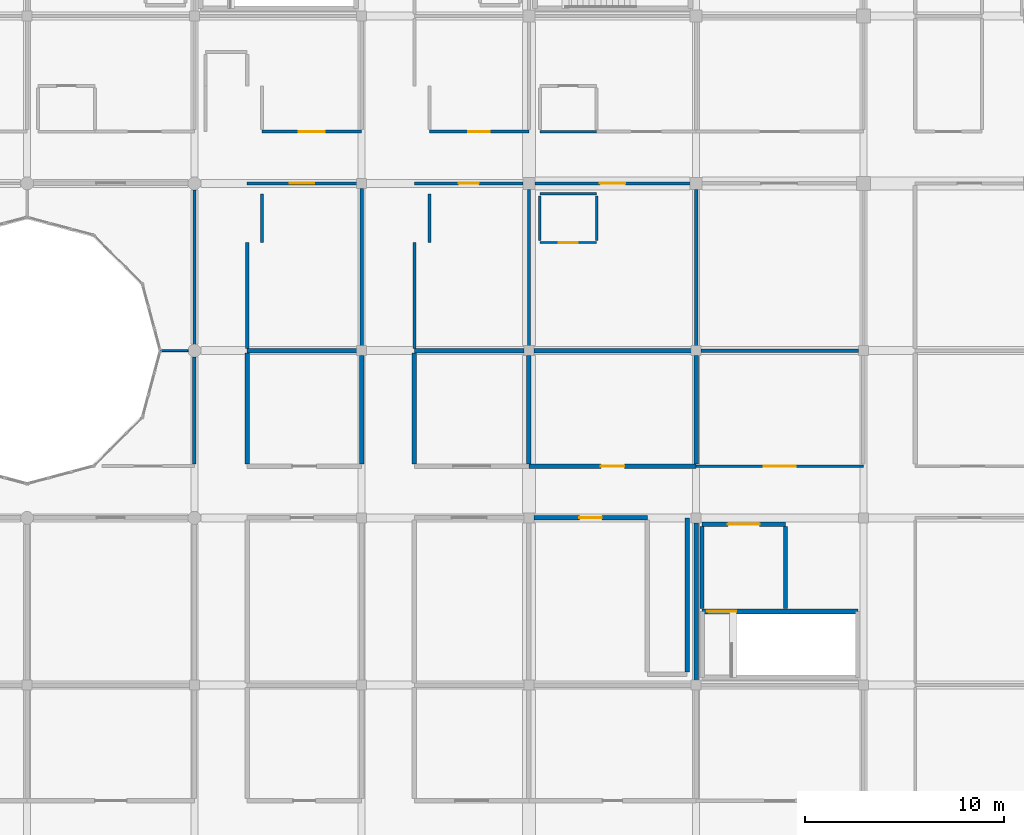
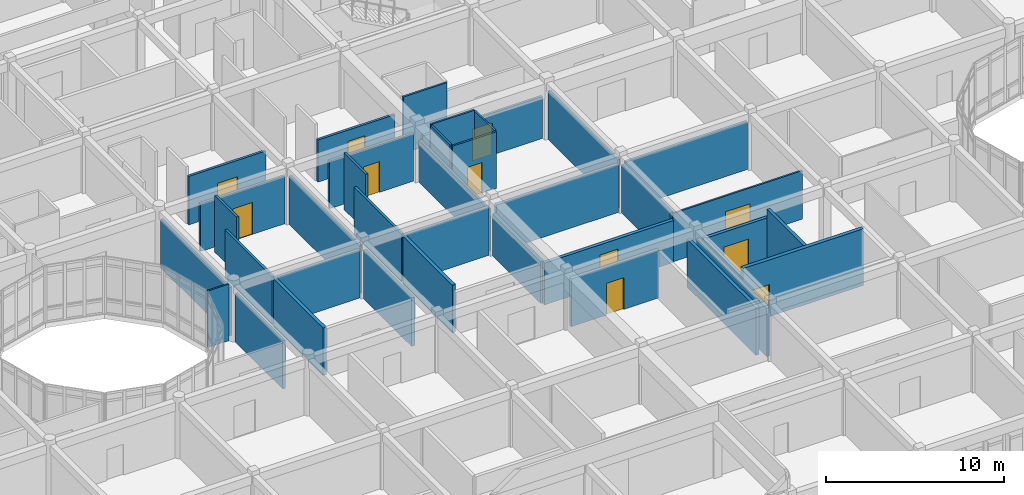
# One storey, part 85 of 119: 38 walls, 11 doors, 11 openings.
"""IFC4 building model written with IfcOpenShell, lengths in metres."""

from ifc_helpers import new_model, si_unit, direction, frame, frame_2d, origin, place, context, subcontext, project, spatial, rectangle, extrude, material, layer, layer_set, type_object, element, fill, save


model = new_model("IFC4")

# Units and contexts
model_context = context("Model", 3, precision=1e-05, world=origin(), true_north=direction((0.0, 1.0)))
body_context = subcontext(model_context, "Body", "Model", "MODEL_VIEW")
ifc_project = project(units=[si_unit("LENGTHUNIT", "METRE"), si_unit("AREAUNIT", "SQUARE_METRE"), si_unit("VOLUMEUNIT", "CUBIC_METRE"), si_unit("PLANEANGLEUNIT", "RADIAN"), si_unit("MASSUNIT", "GRAM", prefix="KILO")], contexts=[model_context])

# Site, building, storey
site_placement = place(None, origin())
site = spatial("IfcSite", under=ifc_project, at=site_placement, CompositionType="ELEMENT")
building_placement = place(site_placement, origin())
building = spatial("IfcBuilding", under=site, at=building_placement, Name="Bramfleet General Hospital", CompositionType="ELEMENT")
storey_placement = place(building_placement, frame((0.0, 0.0, 14.39990234375)))
storey = spatial("IfcBuildingStorey", under=building, at=storey_placement, Name="L03", CompositionType="ELEMENT", Elevation=14.39990234375)

# Wall, opening, door
ifc_material_1 = material(Name="Concrete C35/45", Category="concrete")
ifc_layer_1 = layer(ifc_material_1, 0.219970703125, Name="WT-IW-01")
ifc_layer_set_1 = layer_set([ifc_layer_1], Name="Concrete C35/45")
wall_type_1 = type_object("IfcWallType", Name="WT-IW-01", PredefinedType="PARTITIONING", material=ifc_layer_set_1)
wall_1_placement = place(storey_placement, frame((50.64501953125, 75.60009765625, 0.0), z_axis=(0.0, 0.0, 1.0), x_axis=(1.0, 0.0, 0.0)))
wall_1 = element("IfcWall", 1, at=wall_1_placement, inside=storey, type_object=wall_type_1, Name="L03 Interior Partition IW-L03-2589", PredefinedType="PARTITIONING", context=body_context, shape_type="SweptSolid", body=[
    extrude(rectangle(XDim=5.705078125, YDim=0.219970703125, at=frame_2d((2.8525390625, 0.0))), origin(), (0.0, 0.0, 1.0), 3.280029296875),
])
opening_1_placement = place(wall_1_placement, frame((2.29248046875, 0.0, 0.0)))
opening_1 = element("IfcOpeningElement", 2, at=opening_1_placement, cuts=wall_1, Name="Opening D1083", PredefinedType="OPENING", context=body_context, shape_type="SweptSolid", body=[
    extrude(rectangle(XDim=1.1201171875, YDim=2.179931640625, at=frame_2d((0.56005859375, 1.08984375))), frame((0.0, 0.119873046875, 0.0), z_axis=(0.0, -1.0, 0.0), x_axis=(1.0, 0.0, 0.0)), (0.0, 0.0, 1.0), 0.239990234375),
])
ifc_material_2 = material(Name="Stainless steel and acoustic timber leaf", Category="steel")
door_type_1 = type_object("IfcDoorType", Name="DR-D-27", OperationType="NOTDEFINED", PredefinedType="DOOR", material=ifc_material_2)
door_1_placement = place(opening_1_placement, origin())
door_1 = element("IfcDoor", 3, at=door_1_placement, inside=storey, type_object=door_type_1, Name="Surgical Air-Handling Plant Room L03-0608 Door D1083", OperationType="SINGLE_SWING_RIGHT", OverallHeight=2.179931640625, OverallWidth=1.1201171875, PredefinedType="DOOR", context=body_context, shape_type="SweptSolid", body=[
    extrude(rectangle(XDim=1.1201171875, YDim=2.179931640625, at=frame_2d((0.56005859375, 1.08984375))), frame((0.0, 0.02490234375, 0.0), z_axis=(0.0, -1.0, 0.0), x_axis=(1.0, 0.0, 0.0)), (0.0, 0.0, 1.0), 0.050048828125),
])
fill(opening_1, door_1)

wall_2_placement = place(storey_placement, frame((50.39990234375, 78.199951171875, 0.0), z_axis=(0.0, 0.0, 1.0), x_axis=(1.0, 0.0, 0.0)))
wall_2 = element("IfcWall", 4, at=wall_2_placement, inside=storey, type_object=wall_type_1, Name="L03 Interior Partition IW-L03-2602", PredefinedType="PARTITIONING", context=body_context, shape_type="SweptSolid", body=[
    extrude(rectangle(XDim=8.400146484375, YDim=0.219970703125, at=frame_2d((4.2001953125, 0.0))), origin(), (0.0, 0.0, 1.0), 2.880126953125),
])
opening_2_placement = place(wall_2_placement, frame((3.610107421875, 0.0, 0.0)))
opening_2 = element("IfcOpeningElement", 5, at=opening_2_placement, cuts=wall_2, Name="Opening D1084", PredefinedType="OPENING", context=body_context, shape_type="SweptSolid", body=[
    extrude(rectangle(XDim=1.179931640625, YDim=2.179931640625, at=frame_2d((0.58984375, 1.08984375))), frame((0.0, 0.119873046875, 0.0), z_axis=(0.0, -1.0, 0.0), x_axis=(1.0, 0.0, 0.0)), (0.0, 0.0, 1.0), 0.239990234375),
])
door_type_2 = type_object("IfcDoorType", Name="DR-D-28", OperationType="NOTDEFINED", PredefinedType="DOOR", material=ifc_material_2)
door_2_placement = place(opening_2_placement, origin())
door_2 = element("IfcDoor", 6, at=door_2_placement, inside=storey, type_object=door_type_2, Name="Surgical Air-Handling Plant Room L03-0609 Door D1084", OperationType="SINGLE_SWING_LEFT", OverallHeight=2.179931640625, OverallWidth=1.179931640625, PredefinedType="DOOR", context=body_context, shape_type="SweptSolid", body=[
    extrude(rectangle(XDim=1.179931640625, YDim=2.179931640625, at=frame_2d((0.58984375, 1.08984375))), frame((0.0, 0.02490234375, 0.0), z_axis=(0.0, -1.0, 0.0), x_axis=(1.0, 0.0, 0.0)), (0.0, 0.0, 1.0), 0.050048828125),
])
fill(opening_2, door_2)

# Walls
wall_3_placement = place(storey_placement, frame((36.25, 84.0, 0.0), z_axis=(0.0, 0.0, 1.0), x_axis=(1.0, 0.0, 0.0)))
element("IfcWall", 7, at=wall_3_placement, inside=storey, type_object=wall_type_1, Name="L03 Interior Partition IW-L03-2617", PredefinedType="PARTITIONING", context=body_context, shape_type="SweptSolid", body=[
    extrude(rectangle(XDim=5.5048828125, YDim=0.219970703125, at=frame_2d((2.75244140625, 0.0))), origin(), (0.0, 0.0, 1.0), 3.280029296875),
])
wall_4_placement = place(storey_placement, frame((44.64990234375, 84.0, 0.0), z_axis=(0.0, 0.0, 1.0), x_axis=(1.0, 0.0, 0.0)))
element("IfcWall", 8, at=wall_4_placement, inside=storey, type_object=wall_type_1, Name="L03 Interior Partition IW-L03-2618", PredefinedType="PARTITIONING", context=body_context, shape_type="SweptSolid", body=[
    extrude(rectangle(XDim=5.505126953125, YDim=0.219970703125, at=frame_2d((2.75244140625, 0.0))), origin(), (0.0, 0.0, 1.0), 3.280029296875),
])
wall_5_placement = place(storey_placement, frame((50.64501953125, 84.0, 0.0), z_axis=(0.0, 0.0, 1.0), x_axis=(1.0, 0.0, 0.0)))
element("IfcWall", 9, at=wall_5_placement, inside=storey, type_object=wall_type_1, Name="L03 Interior Partition IW-L03-2619", PredefinedType="PARTITIONING", context=body_context, shape_type="SweptSolid", body=[
    extrude(rectangle(XDim=7.909912109375, YDim=0.219970703125, at=frame_2d((3.955078125, 0.0))), origin(), (0.0, 0.0, 1.0), 3.280029296875),
])
wall_6_placement = place(storey_placement, frame((36.25, 78.31494140625, 0.0), z_axis=(0.0, 0.0, 1.0), x_axis=(0.0, 1.0, 0.0)))
element("IfcWall", 10, at=wall_6_placement, inside=storey, type_object=wall_type_1, Name="L03 Interior Partition IW-L03-2835", PredefinedType="PARTITIONING", context=body_context, shape_type="SweptSolid", body=[
    extrude(rectangle(XDim=5.570068359375, YDim=0.219970703125, at=frame_2d((2.78515625, 0.0))), origin(), (0.0, 0.0, 1.0), 3.280029296875),
])
wall_7_placement = place(storey_placement, frame((42.0, 78.31494140625, 0.0), z_axis=(0.0, 0.0, 1.0), x_axis=(0.0, 1.0, 0.0)))
element("IfcWall", 11, at=wall_7_placement, inside=storey, type_object=wall_type_1, Name="L03 Interior Partition IW-L03-2843", PredefinedType="PARTITIONING", context=body_context, shape_type="SweptSolid", body=[
    extrude(rectangle(XDim=5.43994140625, YDim=0.219970703125, at=frame_2d((2.719970703125, 0.0))), origin(), (0.0, 0.0, 1.0), 3.330078125),
])
wall_8_placement = place(storey_placement, frame((44.64990234375, 78.31494140625, 0.0), z_axis=(0.0, 0.0, 1.0), x_axis=(0.0, 1.0, 0.0)))
element("IfcWall", 12, at=wall_8_placement, inside=storey, type_object=wall_type_1, Name="L03 Interior Partition IW-L03-2849", PredefinedType="PARTITIONING", context=body_context, shape_type="SweptSolid", body=[
    extrude(rectangle(XDim=5.570068359375, YDim=0.219970703125, at=frame_2d((2.78515625, 0.0))), origin(), (0.0, 0.0, 1.0), 3.280029296875),
])
wall_9_placement = place(storey_placement, frame((50.39990234375, 78.31494140625, 0.0), z_axis=(0.0, 0.0, 1.0), x_axis=(0.0, 1.0, 0.0)))
element("IfcWall", 13, at=wall_9_placement, inside=storey, type_object=wall_type_1, Name="L03 Interior Partition IW-L03-2864", PredefinedType="PARTITIONING", context=body_context, shape_type="SweptSolid", body=[
    extrude(rectangle(XDim=5.43994140625, YDim=0.219970703125, at=frame_2d((2.719970703125, 0.0))), origin(), (0.0, 0.0, 1.0), 2.880126953125),
])
wall_10_placement = place(storey_placement, frame((58.35009765625, 67.864990234375, 0.0), z_axis=(0.0, 0.0, 1.0), x_axis=(0.0, 1.0, 0.0)))
element("IfcWall", 14, at=wall_10_placement, inside=storey, type_object=wall_type_1, Name="L03 Interior Partition IW-L03-2874", PredefinedType="PARTITIONING", context=body_context, shape_type="SweptSolid", body=[
    extrude(rectangle(XDim=7.735107421875, YDim=0.219970703125, at=frame_2d((3.86767578125, 0.0))), origin(), (0.0, 0.0, 1.0), 3.280029296875),
])
wall_11_placement = place(storey_placement, frame((58.800048828125, 67.445068359375, 0.0), z_axis=(0.0, 0.0, 1.0), x_axis=(0.0, 1.0, 0.0)))
element("IfcWall", 15, at=wall_11_placement, inside=storey, type_object=wall_type_1, Name="L03 Interior Partition IW-L03-2877", PredefinedType="PARTITIONING", context=body_context, shape_type="SweptSolid", body=[
    extrude(rectangle(XDim=7.909912109375, YDim=0.219970703125, at=frame_2d((3.955078125, 0.0))), origin(), (0.0, 0.0, 1.0), 3.330078125),
])
wall_12_placement = place(storey_placement, frame((58.800048828125, 78.31494140625, 0.0), z_axis=(0.0, 0.0, 1.0), x_axis=(0.0, 1.0, 0.0)))
element("IfcWall", 16, at=wall_12_placement, inside=storey, type_object=wall_type_1, Name="L03 Interior Partition IW-L03-2878", PredefinedType="PARTITIONING", context=body_context, shape_type="SweptSolid", body=[
    extrude(rectangle(XDim=5.43994140625, YDim=0.219970703125, at=frame_2d((2.719970703125, 0.0))), origin(), (0.0, 0.0, 1.0), 3.330078125),
])
ifc_layer_2 = layer(ifc_material_1, 0.205078125, Name="WT-IW-02")
ifc_layer_set_2 = layer_set([ifc_layer_2], Name="Concrete C35/45")
wall_type_2 = type_object("IfcWallType", Name="WT-IW-02", PredefinedType="PARTITIONING", material=ifc_layer_set_2)
wall_13_placement = place(storey_placement, frame((63.280029296875, 71.0400390625, 0.0), z_axis=(0.0, 0.0, 1.0), x_axis=(0.0, 1.0, 0.0)))
element("IfcWall", 17, at=wall_13_placement, inside=storey, type_object=wall_type_2, Name="L03 C13 Lobby East Shaft Wall", PredefinedType="PARTITIONING", context=body_context, shape_type="SweptSolid", body=[
    extrude(rectangle(XDim=4.119873046875, YDim=0.205078125, at=frame_2d((2.06005859375, 0.0))), origin(), (0.0, 0.0, 1.0), 3.89013671875),
])
wall_14_placement = place(storey_placement, frame((59.10009765625, 71.0400390625, 0.0), z_axis=(0.0, 0.0, 1.0), x_axis=(0.0, 1.0, 0.0)))
element("IfcWall", 18, at=wall_14_placement, inside=storey, type_object=wall_type_2, Name="L03 C13 Lobby West Compartment Wall", PredefinedType="PARTITIONING", context=body_context, shape_type="SweptSolid", body=[
    extrude(rectangle(XDim=4.119873046875, YDim=0.205078125, at=frame_2d((2.06005859375, 0.0))), origin(), (0.0, 0.0, 1.0), 3.330078125),
])

# Wall, opening, door
wall_15_placement = place(storey_placement, frame((59.10009765625, 75.280029296875, 0.0), z_axis=(0.0, 0.0, 1.0), x_axis=(1.0, 0.0, 0.0)))
wall_15 = element("IfcWall", 19, at=wall_15_placement, inside=storey, type_object=wall_type_2, Name="L03 C13 Lobby North Compartment Wall", PredefinedType="PARTITIONING", context=body_context, shape_type="SweptSolid", body=[
    extrude(rectangle(XDim=4.179931640625, YDim=0.205078125, at=frame_2d((2.08984375, 0.0))), origin(), (0.0, 0.0, 1.0), 3.280029296875),
])
opening_3_placement = place(wall_15_placement, frame((1.2900390625, 0.0, 0.0)))
opening_3 = element("IfcOpeningElement", 20, at=opening_3_placement, cuts=wall_15, Name="Opening D0174", PredefinedType="OPENING", context=body_context, shape_type="SweptSolid", body=[
    extrude(rectangle(XDim=1.60009765625, YDim=2.25, at=frame_2d((0.800048828125, 1.125))), frame((0.0, 0.112548828125, 0.0), z_axis=(0.0, -1.0, 0.0), x_axis=(1.0, 0.0, 0.0)), (0.0, 0.0, 1.0), 0.22509765625),
])
door_type_3 = type_object("IfcDoorType", Name="DR-D-04", OperationType="NOTDEFINED", PredefinedType="DOOR", material=ifc_material_2)
door_3_placement = place(opening_3_placement, origin())
door_3 = element("IfcDoor", 21, at=door_3_placement, inside=storey, type_object=door_type_3, Name="L03 C13 Lobby Fire Door D0174", OperationType="DOUBLE_SWING_LEFT", OverallHeight=2.25, OverallWidth=1.60009765625, PredefinedType="DOOR", context=body_context, shape_type="SweptSolid", body=[
    extrude(rectangle(XDim=1.60009765625, YDim=2.25, at=frame_2d((0.800048828125, 1.125))), frame((0.0, 0.02490234375, 0.0), z_axis=(0.0, -1.0, 0.0), x_axis=(1.0, 0.0, 0.0)), (0.0, 0.0, 1.0), 0.050048828125),
])
fill(opening_3, door_3)

# Walls
ifc_layer_3 = layer(ifc_material_1, 0.179931640625, Name="WT-IW-04")
ifc_layer_set_3 = layer_set([ifc_layer_3], Name="Concrete C35/45")
wall_type_3 = type_object("IfcWallType", Name="WT-IW-04", PredefinedType="PARTITIONING", material=ifc_layer_set_3)
wall_16_placement = place(storey_placement, frame((59.044921875, 84.0, 0.0), z_axis=(0.0, 0.0, 1.0), x_axis=(1.0, 0.0, 0.0)))
element("IfcWall", 22, at=wall_16_placement, inside=storey, type_object=wall_type_3, Name="L03 Interior Partition IW-L03-2620", PredefinedType="PARTITIONING", context=body_context, shape_type="SweptSolid", body=[
    extrude(rectangle(XDim=7.91015625, YDim=0.179931640625, at=frame_2d((3.955078125, 0.0))), origin(), (0.0, 0.0, 1.0), 3.280029296875),
])
ifc_material_3 = material(Name="Gypsum plasterboard on acoustic steel studs", Category="steel")
ifc_layer_4 = layer(ifc_material_3, 0.169921875, Name="WT-IW-05")
ifc_layer_set_4 = layer_set([ifc_layer_4], Name="Gypsum plasterboard on acoustic steel studs")
wall_type_4 = type_object("IfcWallType", Name="WT-IW-05", PredefinedType="PARTITIONING", material=ifc_layer_set_4)
wall_17_placement = place(storey_placement, frame((33.60009765625, 78.31494140625, 0.0), z_axis=(0.0, 0.0, 1.0), x_axis=(0.0, 1.0, 0.0)))
element("IfcWall", 23, at=wall_17_placement, inside=storey, type_object=wall_type_4, Name="L03 Interior Partition IW-L03-2825", PredefinedType="PARTITIONING", context=body_context, shape_type="SweptSolid", body=[
    extrude(rectangle(XDim=5.364990234375, YDim=0.169921875, at=frame_2d((2.6826171875, 0.0))), origin(), (0.0, 0.0, 1.0), 3.330078125),
])

# Wall, opening, door
ifc_layer_5 = layer(ifc_material_3, 0.159912109375, Name="WT-IW-06")
ifc_layer_set_5 = layer_set([ifc_layer_5], Name="Gypsum plasterboard on acoustic steel studs")
wall_type_5 = type_object("IfcWallType", Name="WT-IW-06", PredefinedType="PARTITIONING", material=ifc_layer_set_5)
wall_18_placement = place(storey_placement, frame((36.25, 92.39990234375, 0.0), z_axis=(0.0, 0.0, 1.0), x_axis=(1.0, 0.0, 0.0)))
wall_18 = element("IfcWall", 24, at=wall_18_placement, inside=storey, type_object=wall_type_5, Name="L03 Interior Partition IW-L03-2642", PredefinedType="PARTITIONING", context=body_context, shape_type="SweptSolid", body=[
    extrude(rectangle(XDim=5.5048828125, YDim=0.159912109375, at=frame_2d((2.75244140625, 0.0))), origin(), (0.0, 0.0, 1.0), 3.280029296875),
])
opening_4_placement = place(wall_18_placement, frame((2.12744140625, 0.0, 0.0)))
opening_4 = element("IfcOpeningElement", 25, at=opening_4_placement, cuts=wall_18, Name="Opening D1070", PredefinedType="OPENING", context=body_context, shape_type="SweptSolid", body=[
    extrude(rectangle(XDim=1.25, YDim=2.199951171875, at=frame_2d((0.625, 1.10009765625))), frame((0.0, 0.08984375, 0.0), z_axis=(0.0, -1.0, 0.0), x_axis=(1.0, 0.0, 0.0)), (0.0, 0.0, 1.0), 0.179931640625),
])
door_type_4 = type_object("IfcDoorType", Name="DR-D-14", OperationType="NOTDEFINED", PredefinedType="DOOR", material=ifc_material_2)
door_4_placement = place(opening_4_placement, origin())
door_4 = element("IfcDoor", 26, at=door_4_placement, inside=storey, type_object=door_type_4, Name="Neonatal Intensive Care Ward L03-0410 Door D1070", OperationType="SINGLE_SWING_LEFT", OverallHeight=2.199951171875, OverallWidth=1.25, PredefinedType="DOOR", context=body_context, shape_type="SweptSolid", body=[
    extrude(rectangle(XDim=1.25, YDim=2.199951171875, at=frame_2d((0.625, 1.10009765625))), frame((0.0, 0.02490234375, 0.0), z_axis=(0.0, -1.0, 0.0), x_axis=(1.0, 0.0, 0.0)), (0.0, 0.0, 1.0), 0.050048828125),
])
fill(opening_4, door_4)

wall_19_placement = place(storey_placement, frame((44.64990234375, 92.39990234375, 0.0), z_axis=(0.0, 0.0, 1.0), x_axis=(1.0, 0.0, 0.0)))
wall_19 = element("IfcWall", 27, at=wall_19_placement, inside=storey, type_object=wall_type_5, Name="L03 Interior Partition IW-L03-2643", PredefinedType="PARTITIONING", context=body_context, shape_type="SweptSolid", body=[
    extrude(rectangle(XDim=5.455078125, YDim=0.159912109375, at=frame_2d((2.7275390625, 0.0))), origin(), (0.0, 0.0, 1.0), 3.280029296875),
])
opening_5_placement = place(wall_19_placement, frame((2.217529296875, 0.0, 0.0)))
opening_5 = element("IfcOpeningElement", 28, at=opening_5_placement, cuts=wall_19, Name="Opening D1077", PredefinedType="OPENING", context=body_context, shape_type="SweptSolid", body=[
    extrude(rectangle(XDim=1.02001953125, YDim=2.1201171875, at=frame_2d((0.510009765625, 1.06005859375))), frame((0.0, 0.08984375, 0.0), z_axis=(0.0, -1.0, 0.0), x_axis=(1.0, 0.0, 0.0)), (0.0, 0.0, 1.0), 0.179931640625),
])
door_type_5 = type_object("IfcDoorType", Name="DR-D-21", OperationType="NOTDEFINED", PredefinedType="DOOR", material=ifc_material_2)
door_5_placement = place(opening_5_placement, origin())
door_5 = element("IfcDoor", 29, at=door_5_placement, inside=storey, type_object=door_type_5, Name="Neonatal Intensive Care Ward L03-0510 Door D1077", OperationType="SINGLE_SWING_RIGHT", OverallHeight=2.1201171875, OverallWidth=1.02001953125, PredefinedType="DOOR", context=body_context, shape_type="SweptSolid", body=[
    extrude(rectangle(XDim=1.02001953125, YDim=2.1201171875, at=frame_2d((0.510009765625, 1.06005859375))), frame((0.0, 0.02490234375, 0.0), z_axis=(0.0, -1.0, 0.0), x_axis=(1.0, 0.0, 0.0)), (0.0, 0.0, 1.0), 0.050048828125),
])
fill(opening_5, door_5)

wall_20_placement = place(storey_placement, frame((50.695068359375, 92.39990234375, 0.0), z_axis=(0.0, 0.0, 1.0), x_axis=(1.0, 0.0, 0.0)))
wall_20 = element("IfcWall", 30, at=wall_20_placement, inside=storey, type_object=wall_type_5, Name="L03 Interior Partition IW-L03-2644", PredefinedType="PARTITIONING", context=body_context, shape_type="SweptSolid", body=[
    extrude(rectangle(XDim=7.809814453125, YDim=0.159912109375, at=frame_2d((3.90478515625, 0.0))), origin(), (0.0, 0.0, 1.0), 2.880126953125),
])
opening_6_placement = place(wall_20_placement, frame((3.264892578125, 0.0, 0.0)))
opening_6 = element("IfcOpeningElement", 31, at=opening_6_placement, cuts=wall_20, Name="Opening D1085", PredefinedType="OPENING", context=body_context, shape_type="SweptSolid", body=[
    extrude(rectangle(XDim=1.280029296875, YDim=2.179931640625, at=frame_2d((0.64013671875, 1.08984375))), frame((0.0, 0.08984375, 0.0), z_axis=(0.0, -1.0, 0.0), x_axis=(1.0, 0.0, 0.0)), (0.0, 0.0, 1.0), 0.179931640625),
])
door_type_6 = type_object("IfcDoorType", Name="DR-D-29", OperationType="NOTDEFINED", PredefinedType="DOOR", material=ifc_material_2)
door_6_placement = place(opening_6_placement, origin())
door_6 = element("IfcDoor", 32, at=door_6_placement, inside=storey, type_object=door_type_6, Name="Neonatal Intensive Care Ward L03-0610 Door D1085", OperationType="SINGLE_SWING_RIGHT", OverallHeight=2.179931640625, OverallWidth=1.280029296875, PredefinedType="DOOR", context=body_context, shape_type="SweptSolid", body=[
    extrude(rectangle(XDim=1.280029296875, YDim=2.179931640625, at=frame_2d((0.64013671875, 1.08984375))), frame((0.0, 0.02490234375, 0.0), z_axis=(0.0, -1.0, 0.0), x_axis=(1.0, 0.0, 0.0)), (0.0, 0.0, 1.0), 0.050048828125),
])
fill(opening_6, door_6)

wall_21_placement = place(storey_placement, frame((37.0, 95.0, 0.0), z_axis=(0.0, 0.0, 1.0), x_axis=(1.0, 0.0, 0.0)))
wall_21 = element("IfcWall", 33, at=wall_21_placement, inside=storey, type_object=wall_type_5, Name="L03 Interior Partition IW-L03-2666", PredefinedType="PARTITIONING", context=body_context, shape_type="SweptSolid", body=[
    extrude(rectangle(XDim=5.0, YDim=0.159912109375, at=frame_2d((2.5, 0.0))), origin(), (0.0, 0.0, 1.0), 3.330078125),
])
opening_7_placement = place(wall_21_placement, frame((1.85009765625, 0.0, 0.0)))
opening_7 = element("IfcOpeningElement", 34, at=opening_7_placement, cuts=wall_21, Name="Opening D1071", PredefinedType="OPENING", context=body_context, shape_type="SweptSolid", body=[
    extrude(rectangle(XDim=1.300048828125, YDim=2.199951171875, at=frame_2d((0.64990234375, 1.10009765625))), frame((0.0, 0.08984375, 0.0), z_axis=(0.0, -1.0, 0.0), x_axis=(1.0, 0.0, 0.0)), (0.0, 0.0, 1.0), 0.179931640625),
])
door_type_7 = type_object("IfcDoorType", Name="DR-D-15", OperationType="NOTDEFINED", PredefinedType="DOOR", material=ifc_material_2)
door_7_placement = place(opening_7_placement, origin())
door_7 = element("IfcDoor", 35, at=door_7_placement, inside=storey, type_object=door_type_7, Name="Neonatal Intensive Care Ward L03-0411 Door D1071", OperationType="SINGLE_SWING_RIGHT", OverallHeight=2.199951171875, OverallWidth=1.300048828125, PredefinedType="DOOR", context=body_context, shape_type="SweptSolid", body=[
    extrude(rectangle(XDim=1.300048828125, YDim=2.199951171875, at=frame_2d((0.64990234375, 1.10009765625))), frame((0.0, 0.02490234375, 0.0), z_axis=(0.0, -1.0, 0.0), x_axis=(1.0, 0.0, 0.0)), (0.0, 0.0, 1.0), 0.050048828125),
])
fill(opening_7, door_7)

wall_22_placement = place(storey_placement, frame((45.39990234375, 95.0, 0.0), z_axis=(0.0, 0.0, 1.0), x_axis=(1.0, 0.0, 0.0)))
wall_22 = element("IfcWall", 36, at=wall_22_placement, inside=storey, type_object=wall_type_5, Name="L03 Interior Partition IW-L03-2667", PredefinedType="PARTITIONING", context=body_context, shape_type="SweptSolid", body=[
    extrude(rectangle(XDim=5.0, YDim=0.159912109375, at=frame_2d((2.5, 0.0))), origin(), (0.0, 0.0, 1.0), 2.89013671875),
])
opening_8_placement = place(wall_22_placement, frame((1.9599609375, 0.0, 0.0)))
opening_8 = element("IfcOpeningElement", 37, at=opening_8_placement, cuts=wall_22, Name="Opening D1078", PredefinedType="OPENING", context=body_context, shape_type="SweptSolid", body=[
    extrude(rectangle(XDim=1.080078125, YDim=2.1201171875, at=frame_2d((0.5400390625, 1.06005859375))), frame((0.0, 0.08984375, 0.0), z_axis=(0.0, -1.0, 0.0), x_axis=(1.0, 0.0, 0.0)), (0.0, 0.0, 1.0), 0.179931640625),
])
door_type_8 = type_object("IfcDoorType", Name="DR-D-22", OperationType="NOTDEFINED", PredefinedType="DOOR", material=ifc_material_2)
door_8_placement = place(opening_8_placement, origin())
door_8 = element("IfcDoor", 38, at=door_8_placement, inside=storey, type_object=door_type_8, Name="Neonatal Intensive Care Ward L03-0511 Door D1078", OperationType="SINGLE_SWING_LEFT", OverallHeight=2.1201171875, OverallWidth=1.080078125, PredefinedType="DOOR", context=body_context, shape_type="SweptSolid", body=[
    extrude(rectangle(XDim=1.080078125, YDim=2.1201171875, at=frame_2d((0.5400390625, 1.06005859375))), frame((0.0, 0.02490234375, 0.0), z_axis=(0.0, -1.0, 0.0), x_axis=(1.0, 0.0, 0.0)), (0.0, 0.0, 1.0), 0.050048828125),
])
fill(opening_8, door_8)

# Walls
wall_23_placement = place(storey_placement, frame((33.60009765625, 84.320068359375, 0.0), z_axis=(0.0, 0.0, 1.0), x_axis=(0.0, 1.0, 0.0)))
element("IfcWall", 39, at=wall_23_placement, inside=storey, type_object=wall_type_5, Name="L03 Interior Partition IW-L03-2826", PredefinedType="PARTITIONING", context=body_context, shape_type="SweptSolid", body=[
    extrude(rectangle(XDim=7.760009765625, YDim=0.159912109375, at=frame_2d((3.8798828125, 0.0))), origin(), (0.0, 0.0, 1.0), 3.330078125),
])
wall_24_placement = place(storey_placement, frame((36.25, 84.114990234375, 0.0), z_axis=(0.0, 0.0, 1.0), x_axis=(0.0, 1.0, 0.0)))
element("IfcWall", 40, at=wall_24_placement, inside=storey, type_object=wall_type_5, Name="L03 Interior Partition IW-L03-2836", PredefinedType="PARTITIONING", context=body_context, shape_type="SweptSolid", body=[
    extrude(rectangle(XDim=5.31494140625, YDim=0.159912109375, at=frame_2d((2.657470703125, 0.0))), origin(), (0.0, 0.0, 1.0), 3.280029296875),
])
wall_25_placement = place(storey_placement, frame((37.0, 89.429931640625, 0.0), z_axis=(0.0, 0.0, 1.0), x_axis=(0.0, 1.0, 0.0)))
element("IfcWall", 41, at=wall_25_placement, inside=storey, type_object=wall_type_5, Name="L03 Interior Partition IW-L03-2838", PredefinedType="PARTITIONING", context=body_context, shape_type="SweptSolid", body=[
    extrude(rectangle(XDim=2.449951171875, YDim=0.159912109375, at=frame_2d((1.22509765625, 0.0))), origin(), (0.0, 0.0, 1.0), 3.89013671875),
])
wall_26_placement = place(storey_placement, frame((42.0, 84.2451171875, 0.0), z_axis=(0.0, 0.0, 1.0), x_axis=(0.0, 1.0, 0.0)))
element("IfcWall", 42, at=wall_26_placement, inside=storey, type_object=wall_type_5, Name="L03 Interior Partition IW-L03-2844", PredefinedType="PARTITIONING", context=body_context, shape_type="SweptSolid", body=[
    extrude(rectangle(XDim=7.909912109375, YDim=0.159912109375, at=frame_2d((3.955078125, 0.0))), origin(), (0.0, 0.0, 1.0), 3.330078125),
])
wall_27_placement = place(storey_placement, frame((44.64990234375, 84.114990234375, 0.0), z_axis=(0.0, 0.0, 1.0), x_axis=(0.0, 1.0, 0.0)))
element("IfcWall", 43, at=wall_27_placement, inside=storey, type_object=wall_type_5, Name="L03 Interior Partition IW-L03-2850", PredefinedType="PARTITIONING", context=body_context, shape_type="SweptSolid", body=[
    extrude(rectangle(XDim=5.31494140625, YDim=0.159912109375, at=frame_2d((2.657470703125, 0.0))), origin(), (0.0, 0.0, 1.0), 3.280029296875),
])
wall_28_placement = place(storey_placement, frame((45.39990234375, 89.429931640625, 0.0), z_axis=(0.0, 0.0, 1.0), x_axis=(0.0, 1.0, 0.0)))
element("IfcWall", 44, at=wall_28_placement, inside=storey, type_object=wall_type_5, Name="L03 Interior Partition IW-L03-2854", PredefinedType="PARTITIONING", context=body_context, shape_type="SweptSolid", body=[
    extrude(rectangle(XDim=2.449951171875, YDim=0.159912109375, at=frame_2d((1.22509765625, 0.0))), origin(), (0.0, 0.0, 1.0), 3.89013671875),
])
wall_29_placement = place(storey_placement, frame((50.39990234375, 84.2451171875, 0.0), z_axis=(0.0, 0.0, 1.0), x_axis=(0.0, 1.0, 0.0)))
element("IfcWall", 45, at=wall_29_placement, inside=storey, type_object=wall_type_5, Name="L03 Interior Partition IW-L03-2865", PredefinedType="PARTITIONING", context=body_context, shape_type="SweptSolid", body=[
    extrude(rectangle(XDim=7.85986328125, YDim=0.159912109375, at=frame_2d((3.929931640625, 0.0))), origin(), (0.0, 0.0, 1.0), 2.880126953125),
])
wall_30_placement = place(storey_placement, frame((58.800048828125, 84.2451171875, 0.0), z_axis=(0.0, 0.0, 1.0), x_axis=(0.0, 1.0, 0.0)))
element("IfcWall", 46, at=wall_30_placement, inside=storey, type_object=wall_type_5, Name="L03 Interior Partition IW-L03-2879", PredefinedType="PARTITIONING", context=body_context, shape_type="SweptSolid", body=[
    extrude(rectangle(XDim=7.85986328125, YDim=0.159912109375, at=frame_2d((3.929931640625, 0.0))), origin(), (0.0, 0.0, 1.0), 3.330078125),
])

# Wall, opening, door
ifc_layer_6 = layer(ifc_material_3, 0.1201171875, Name="WT-IW-10")
ifc_layer_set_6 = layer_set([ifc_layer_6], Name="Gypsum plasterboard on acoustic steel studs")
wall_type_6 = type_object("IfcWallType", Name="WT-IW-10", PredefinedType="PARTITIONING", material=ifc_layer_set_6)
wall_31_placement = place(storey_placement, frame((50.949951171875, 89.429931640625, 0.0), z_axis=(0.0, 0.0, 1.0), x_axis=(1.0, 0.0, 0.0)))
wall_31 = element("IfcWall", 47, at=wall_31_placement, inside=storey, type_object=wall_type_6, Name="L03 Interior Partition IW-L03-2634", PredefinedType="PARTITIONING", context=body_context, shape_type="SweptSolid", body=[
    extrude(rectangle(XDim=2.85009765625, YDim=0.1201171875, at=frame_2d((1.425048828125, 0.0))), origin(), (0.0, 0.0, 1.0), 3.89013671875),
])
opening_9_placement = place(wall_31_placement, frame((0.949951171875, 0.0, 0.0)))
opening_9 = element("IfcOpeningElement", 48, at=opening_9_placement, cuts=wall_31, Name="Opening D1086", PredefinedType="OPENING", context=body_context, shape_type="SweptSolid", body=[
    extrude(rectangle(XDim=0.949951171875, YDim=2.10009765625, at=frame_2d((0.47509765625, 1.050048828125))), frame((0.0, 0.070068359375, 0.0), z_axis=(0.0, -1.0, 0.0), x_axis=(1.0, 0.0, 0.0)), (0.0, 0.0, 1.0), 0.14013671875),
])
door_type_9 = type_object("IfcDoorType", Name="DR-D-10", OperationType="NOTDEFINED", PredefinedType="DOOR", material=ifc_material_2)
door_9_placement = place(opening_9_placement, origin())
door_9 = element("IfcDoor", 49, at=door_9_placement, inside=storey, type_object=door_type_9, Name="Neonatal Family En-Suite WC L03-0610 Door D1086", OperationType="SINGLE_SWING_LEFT", OverallHeight=2.10009765625, OverallWidth=0.949951171875, PredefinedType="DOOR", context=body_context, shape_type="SweptSolid", body=[
    extrude(rectangle(XDim=0.949951171875, YDim=2.10009765625, at=frame_2d((0.47509765625, 1.050048828125))), frame((0.0, 0.02490234375, 0.0), z_axis=(0.0, -1.0, 0.0), x_axis=(1.0, 0.0, 0.0)), (0.0, 0.0, 1.0), 0.050048828125),
])
fill(opening_9, door_9)

# Walls
for number, where, z_axis, x_axis, name in (
    (50, (50.949951171875, 91.8798828125, 0.0), (0.0, 0.0, 1.0), (1.0, 0.0, 0.0), "L03 Interior Partition IW-L03-2637"),
    (51, (50.949951171875, 95.0, 0.0), (0.0, 0.0, 1.0), (1.0, 0.0, 0.0), "L03 Interior Partition IW-L03-2668"),
):
    element("IfcWall", number, at=place(storey_placement, frame(where, z_axis=z_axis, x_axis=x_axis)), inside=storey, type_object=wall_type_6, Name=name, PredefinedType="PARTITIONING", context=body_context, shape_type="SweptSolid", body=[
        extrude(rectangle(XDim=2.85009765625, YDim=0.1201171875, at=frame_2d((1.425048828125, 0.0))), origin(), (0.0, 0.0, 1.0), 3.89013671875),
    ])
for number, where, z_axis, x_axis, name in (
    (52, (50.949951171875, 89.544921875, 0.0), (0.0, 0.0, 1.0), (0.0, 1.0, 0.0), "L03 Interior Partition IW-L03-2869"),
    (53, (53.800048828125, 89.544921875, 0.0), (0.0, 0.0, 1.0), (0.0, 1.0, 0.0), "L03 Interior Partition IW-L03-2871"),
):
    element("IfcWall", number, at=place(storey_placement, frame(where, z_axis=z_axis, x_axis=x_axis)), inside=storey, type_object=wall_type_6, Name=name, PredefinedType="PARTITIONING", context=body_context, shape_type="SweptSolid", body=[
        extrude(rectangle(XDim=2.219970703125, YDim=0.1201171875, at=frame_2d((1.10986328125, 0.0))), origin(), (0.0, 0.0, 1.0), 3.89013671875),
    ])

# Wall, opening, door
ifc_layer_7 = layer(ifc_material_3, 0.112060546875, Name="WT-IW-11")
ifc_layer_set_7 = layer_set([ifc_layer_7], Name="Gypsum plasterboard on acoustic steel studs")
wall_type_7 = type_object("IfcWallType", Name="WT-IW-11", PredefinedType="PARTITIONING", material=ifc_layer_set_7)
wall_32_placement = place(storey_placement, frame((58.800048828125, 78.199951171875, 0.0), z_axis=(0.0, 0.0, 1.0), x_axis=(1.0, 0.0, 0.0)))
wall_32 = element("IfcWall", 54, at=wall_32_placement, inside=storey, type_object=wall_type_7, Name="L03 Interior Partition IW-L03-2603", PredefinedType="PARTITIONING", context=body_context, shape_type="SweptSolid", body=[
    extrude(rectangle(XDim=8.39990234375, YDim=0.112060546875, at=frame_2d((4.199951171875, 0.0))), origin(), (0.0, 0.0, 1.0), 3.330078125),
])
opening_10_placement = place(wall_32_placement, frame((3.39990234375, 0.0, 0.0)))
opening_10 = element("IfcOpeningElement", 55, at=opening_10_placement, cuts=wall_32, Name="Opening D1092", PredefinedType="OPENING", context=body_context, shape_type="SweptSolid", body=[
    extrude(rectangle(XDim=1.60009765625, YDim=2.25, at=frame_2d((0.800048828125, 1.125))), frame((0.0, 0.06591796875, 0.0), z_axis=(0.0, -1.0, 0.0), x_axis=(1.0, 0.0, 0.0)), (0.0, 0.0, 1.0), 0.132080078125),
])
door_10_placement = place(opening_10_placement, origin())
door_10 = element("IfcDoor", 56, at=door_10_placement, inside=storey, type_object=door_type_3, Name="Maternity Delivery Suite and Clinical Lab L03-0709 Door D1092", OperationType="DOUBLE_SWING_LEFT", OverallHeight=2.25, OverallWidth=1.60009765625, PredefinedType="DOOR", context=body_context, shape_type="SweptSolid", body=[
    extrude(rectangle(XDim=1.60009765625, YDim=2.25, at=frame_2d((0.800048828125, 1.125))), frame((0.0, 0.02490234375, 0.0), z_axis=(0.0, -1.0, 0.0), x_axis=(1.0, 0.0, 0.0)), (0.0, 0.0, 1.0), 0.050048828125),
])
fill(opening_10, door_10)

# Wall
ifc_layer_8 = layer(ifc_material_3, 0.10009765625, Name="WT-IW-12")
ifc_layer_set_8 = layer_set([ifc_layer_8], Name="Gypsum plasterboard on acoustic steel studs")
wall_type_8 = type_object("IfcWallType", Name="WT-IW-12", PredefinedType="PARTITIONING", material=ifc_layer_set_8)
wall_33_placement = place(storey_placement, frame((31.89990234375, 84.0, 0.0), z_axis=(0.0, 0.0, 1.0), x_axis=(1.0, 0.0, 0.0)))
element("IfcWall", 57, at=wall_33_placement, inside=storey, type_object=wall_type_8, Name="L03 Interior Partition IW-L03-2616", PredefinedType="PARTITIONING", context=body_context, shape_type="SweptSolid", body=[
    extrude(rectangle(XDim=1.380126953125, YDim=0.10009765625, at=frame_2d((0.68994140625, 0.0))), origin(), (0.0, 0.0, 1.0), 3.89013671875),
])

# Wall, opening, door
ifc_material_4 = material(Name="Concrete C40/50", Category="concrete")
ifc_layer_9 = layer(ifc_material_4, 0.239990234375, Name="WT-SW-240")
ifc_layer_set_9 = layer_set([ifc_layer_9], Name="Concrete C40/50")
wall_type_9 = type_object("IfcWallType", Name="WT-SW-240", PredefinedType="SHEAR", material=ifc_layer_set_9)
wall_34_placement = place(storey_placement, frame((59.10009765625, 70.89990234375, 0.0), z_axis=(0.0, 0.0, 1.0), x_axis=(1.0, 0.0, 0.0)))
wall_34 = element("IfcWall", 58, at=wall_34_placement, inside=storey, type_object=wall_type_9, Name="L03 C13 Stair-Lobby Shear Wall", PredefinedType="SHEAR", context=body_context, shape_type="SweptSolid", body=[
    extrude(rectangle(XDim=7.81982421875, YDim=0.239990234375, at=frame_2d((3.909912109375, 0.0))), origin(), (0.0, 0.0, 1.0), 3.900146484375),
])
opening_11_placement = place(wall_34_placement, frame((0.25, 0.0, 0.0)))
opening_11 = element("IfcOpeningElement", 59, at=opening_11_placement, cuts=wall_34, Name="Opening D0173", PredefinedType="OPENING", context=body_context, shape_type="SweptSolid", body=[
    extrude(rectangle(XDim=1.449951171875, YDim=2.199951171875, at=frame_2d((0.72509765625, 1.10009765625))), frame((0.0, 0.1298828125, 0.0), z_axis=(0.0, -1.0, 0.0), x_axis=(1.0, 0.0, 0.0)), (0.0, 0.0, 1.0), 0.260009765625),
])
door_type_10 = type_object("IfcDoorType", Name="DR-D-03", OperationType="NOTDEFINED", PredefinedType="DOOR", material=ifc_material_2)
door_11_placement = place(opening_11_placement, origin())
door_11 = element("IfcDoor", 60, at=door_11_placement, inside=storey, type_object=door_type_10, Name="L03 C13 Escape Stair Fire Door D0173", OperationType="SINGLE_SWING_RIGHT", OverallHeight=2.199951171875, OverallWidth=1.449951171875, PredefinedType="DOOR", context=body_context, shape_type="SweptSolid", body=[
    extrude(rectangle(XDim=1.449951171875, YDim=2.199951171875, at=frame_2d((0.72509765625, 1.10009765625))), frame((0.0, 0.02490234375, 0.0), z_axis=(0.0, -1.0, 0.0), x_axis=(1.0, 0.0, 0.0)), (0.0, 0.0, 1.0), 0.050048828125),
])
fill(opening_11, door_11)

save(model, "model.ifc")
